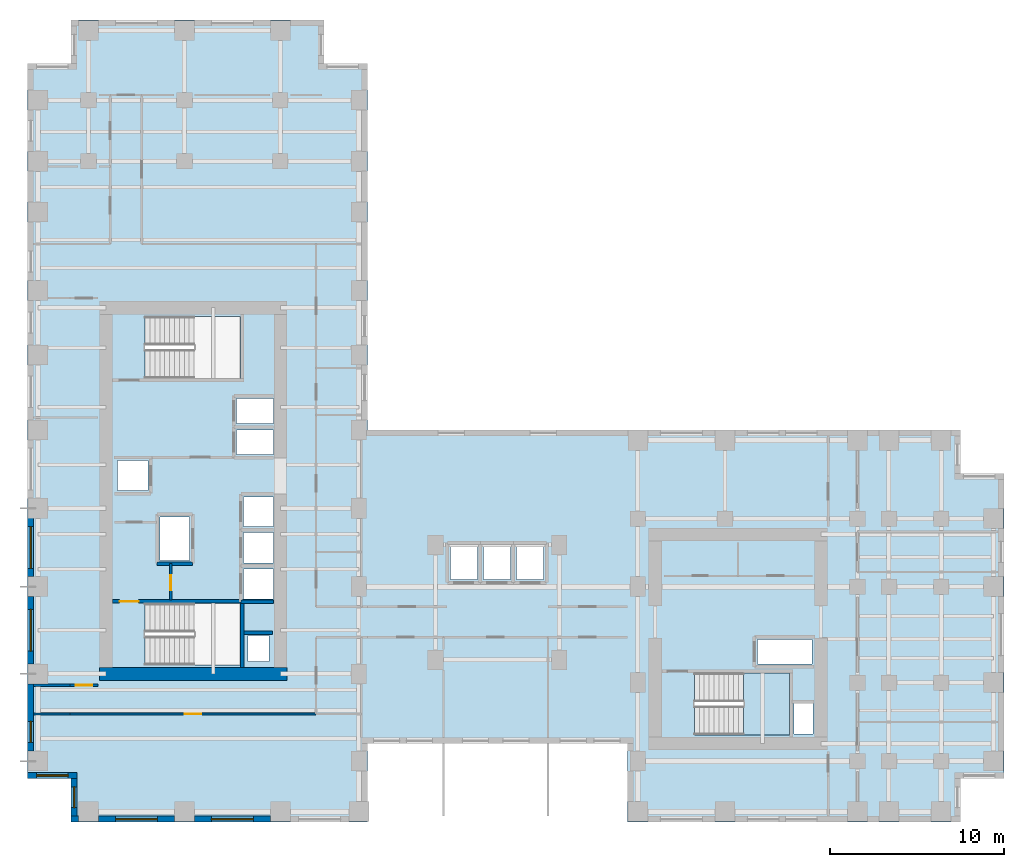
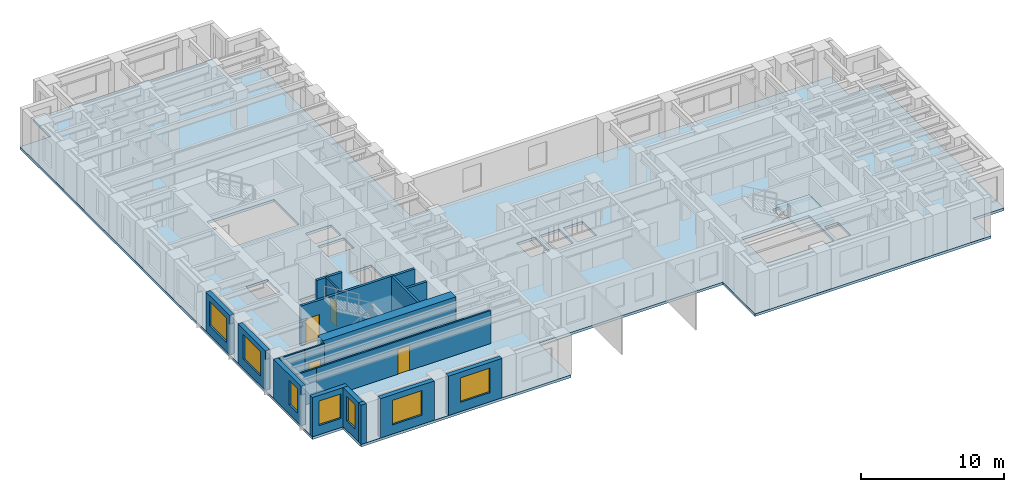
# One storey, part 3 of 11: 19 walls, 7 windows, 4 doors, 2 slabs, 11 openings, 1 element without a shape of its own.
"""IFC4 building model written with IfcOpenShell, lengths in metres."""

from ifc_helpers import new_model, si_unit, direction, frame, frame_2d, origin, place, context, subcontext, project, spatial, polyline, rectangle, outline, extrude, source, transform, mapped, material, layer, layer_set, type_object, element, fill, aggregate, save


model = new_model("IFC4")

# Units and contexts
model_context = context("Model", 3, precision=1e-05, world=origin(), true_north=direction((0.0, 1.0)))
body_context = subcontext(model_context, "Body", "Model", "MODEL_VIEW")
ifc_project = project(units=[si_unit("LENGTHUNIT", "METRE"), si_unit("AREAUNIT", "SQUARE_METRE"), si_unit("VOLUMEUNIT", "CUBIC_METRE"), si_unit("PLANEANGLEUNIT", "RADIAN"), si_unit("MASSUNIT", "GRAM", prefix="KILO")], contexts=[model_context])

# Site, building, storey
site_placement = place(None, origin())
site = spatial("IfcSite", under=ifc_project, at=site_placement, CompositionType="ELEMENT")
building_placement = place(site_placement, origin())
building = spatial("IfcBuilding", under=site, at=building_placement, Name="Kharzan Plaza Tower", CompositionType="ELEMENT")
storey_placement = place(building_placement, frame((0.0, 0.0, 84.60009765625)))
storey = spatial("IfcBuildingStorey", under=building, at=storey_placement, Name="L22", CompositionType="ELEMENT", Elevation=84.60009765625)

# Slab
ifc_material_1 = material(Name="Concrete C40/50", Category="concrete")
ifc_layer_1 = layer(ifc_material_1, 0.219970703125)
ifc_layer_set_1 = layer_set([ifc_layer_1], Name="Concrete C40/50")
slab_type_1 = type_object("IfcSlabType", Name="SL-FLOOR-220", PredefinedType="FLOOR", material=ifc_layer_set_1)
slab_1_placement = place(storey_placement, frame((0.0, 0.0, -0.22021484375)))
element("IfcSlab", 1, at=slab_1_placement, inside=storey, type_object=slab_type_1, Name="L22 Composite Structural Floor Slab 220 mm", PredefinedType="FLOOR", context=body_context, shape_type="SweptSolid", body=[
    extrude(outline(polyline([(34.39990234375, 22.5), (19.5, 22.5), (19.5, 43.5), (17.0, 43.5), (17.0, 46.0), (2.5, 46.0), (2.5, 43.5), (0.0, 43.5), (0.0, 2.5), (2.5, 2.5), (2.5, 0.0), (19.5, 0.0), (19.5, 4.5), (34.39990234375, 4.5), (34.39990234375, 0.0), (53.5, 0.0), (53.5, 2.5), (56.0, 2.5), (56.0, 20.0), (53.5, 20.0), (53.5, 22.5), (34.39990234375, 22.5)]), holes=[polyline([(12.199951171875, 9.0), (12.199951171875, 12.550048828125), (6.75, 12.550048828125), (6.75, 9.0), (12.199951171875, 9.0)]), polyline([(14.10009765625, 12.800048828125), (14.10009765625, 14.530029296875), (12.39990234375, 14.530029296875), (12.39990234375, 12.800048828125), (14.10009765625, 12.800048828125)]), polyline([(14.10009765625, 14.8701171875), (14.10009765625, 16.60009765625), (12.39990234375, 16.60009765625), (12.39990234375, 14.8701171875), (14.10009765625, 14.8701171875)]), polyline([(9.300048828125, 15.0), (9.300048828125, 17.5), (7.60009765625, 17.5), (7.60009765625, 15.0), (9.300048828125, 15.0)]), polyline([(6.89990234375, 19.010009765625), (6.89990234375, 20.72998046875), (5.14990234375, 20.72998046875), (5.14990234375, 19.010009765625), (6.89990234375, 19.010009765625)]), polyline([(14.10009765625, 21.070068359375), (14.10009765625, 22.489990234375), (12.0, 22.489990234375), (12.0, 21.070068359375), (14.10009765625, 21.070068359375)]), polyline([(14.10009765625, 22.8701171875), (14.10009765625, 24.2900390625), (12.0, 24.2900390625), (12.0, 22.8701171875), (14.10009765625, 22.8701171875)]), polyline([(12.199951171875, 25.449951171875), (12.199951171875, 29.0), (6.75, 29.0), (6.75, 25.449951171875), (12.199951171875, 25.449951171875)]), polyline([(45.050048828125, 5.050048828125), (45.050048828125, 6.800048828125), (43.949951171875, 6.800048828125), (43.949951171875, 5.050048828125), (45.050048828125, 5.050048828125)]), polyline([(43.699951171875, 5.0), (43.699951171875, 8.550048828125), (38.25, 8.550048828125), (38.25, 5.0), (43.699951171875, 5.0)]), polyline([(45.0, 9.070068359375), (45.0, 10.469970703125), (41.85009765625, 10.469970703125), (41.85009765625, 9.070068359375), (45.0, 9.070068359375)]), polyline([(13.85009765625, 9.199951171875), (13.85009765625, 10.699951171875), (12.64990234375, 10.699951171875), (12.64990234375, 9.199951171875), (13.85009765625, 9.199951171875)]), polyline([(25.800048828125, 13.89990234375), (25.800048828125, 15.85009765625), (24.25, 15.85009765625), (24.25, 13.89990234375), (25.800048828125, 13.89990234375)]), polyline([(27.699951171875, 13.89990234375), (27.699951171875, 15.85009765625), (26.14990234375, 15.85009765625), (26.14990234375, 13.89990234375), (27.699951171875, 13.89990234375)]), polyline([(29.60009765625, 13.89990234375), (29.60009765625, 15.85009765625), (28.050048828125, 15.85009765625), (28.050048828125, 13.89990234375), (29.60009765625, 13.89990234375)]), polyline([(14.10009765625, 16.93994140625), (14.10009765625, 18.64990234375), (12.39990234375, 18.64990234375), (12.39990234375, 16.93994140625), (14.10009765625, 16.93994140625)])]), origin(), (0.0, 0.0, 1.0), 0.22021484375),
])

# Stair, slab
stair_type = type_object("IfcStairType", Name="STR-ST-3", PredefinedType="HALF_TURN_STAIR", material=ifc_material_1)
stair_placement = place(storey_placement, origin())
stair = element("IfcStair", 2, at=stair_placement, inside=storey, type_object=stair_type, Name="L22 Protected Exit Stair ST-3", PredefinedType="HALF_TURN_STAIR")
ifc_layer_2 = layer(ifc_material_1, 0.219970703125)
ifc_layer_set_2 = layer_set([ifc_layer_2], Name="Concrete C40/50")
slab_type_2 = type_object("IfcSlabType", Name="SL-LANDING-220", PredefinedType="LANDING", material=ifc_layer_set_2)
slab_2_placement = place(storey_placement, frame((0.0, 0.0, 1.599853515625)))
slab_2 = element("IfcSlab", 3, at=slab_2_placement, type_object=slab_type_2, Name="ST-3 landing 1", PredefinedType="LANDING", context=body_context, shape_type="SweptSolid", body=[
    extrude(outline(polyline([(41.050048828125, 5.0), (43.699951171875, 5.0), (43.699951171875, 8.550048828125), (41.050048828125, 8.550048828125), (41.050048828125, 5.0)])), origin(), (0.0, 0.0, 1.0), 0.199951171875),
])
aggregate(stair, [slab_2])

# Wall, opening, window
ifc_layer_3 = layer(ifc_material_1, 0.35009765625)
ifc_layer_set_3 = layer_set([ifc_layer_3], Name="Concrete C40/50")
wall_type_1 = type_object("IfcWallType", Name="WL-EXT-MAS-Z2", PredefinedType="SOLIDWALL", material=ifc_layer_set_3)
wall_1_placement = place(storey_placement, frame((0.175048828125, 17.427001953125, 0.0), z_axis=(0.0, 0.0, 1.0), x_axis=(0.0, -1.0, 0.0)))
wall_1 = element("IfcWall", 4, at=wall_1_placement, inside=storey, type_object=wall_type_1, Name="L22 Masonry-Frame Exterior Wall 16", PredefinedType="SOLIDWALL", context=body_context, shape_type="SweptSolid", body=[
    extrude(rectangle(XDim=3.35400390625, YDim=0.35009765625, at=frame_2d((1.677001953125, 0.0))), origin(), (0.0, 0.0, 1.0), 3.364990234375),
])
opening_1_placement = place(wall_1_placement, frame((0.47705078125, 0.0, 0.780029296875)))
opening_1 = element("IfcOpeningElement", 5, at=opening_1_placement, cuts=wall_1, Name="Opening W2", PredefinedType="OPENING", context=body_context, shape_type="SweptSolid", body=[
    extrude(rectangle(XDim=2.39990234375, YDim=2.10009765625, at=frame_2d((1.199951171875, 1.050048828125))), frame((0.0, 0.18505859375, 0.0), z_axis=(0.0, -1.0, 0.0), x_axis=(1.0, 0.0, 0.0)), (0.0, 0.0, 1.0), 0.3701171875),
])
ifc_material_2 = material(Name="Low-E Double Glazing", Category="glass")
window_type_1 = type_object("IfcWindowType", Name="WN-REC-2400x2100", PartitioningType="SINGLE_PANEL", PredefinedType="WINDOW", material=ifc_material_2)
shared_shape_1 = source(origin(), body_context, "Body", "SweptSolid", [
    extrude(rectangle(XDim=2.39990234375, YDim=2.10009765625, at=frame_2d((1.199951171875, 1.050048828125))), frame((0.0, 0.030029296875, 0.0), z_axis=(0.0, -1.0, 0.0), x_axis=(1.0, 0.0, 0.0)), (0.0, 0.0, 1.0), 0.06005859375),
])
window_1_placement = place(opening_1_placement, origin())
window_1 = element("IfcWindow", 6, at=window_1_placement, inside=storey, type_object=window_type_1, Name="L22 Wide Recessed Solar-Control Window 16-1", OverallHeight=2.10009765625, OverallWidth=2.39990234375, PartitioningType="SINGLE_PANEL", PredefinedType="WINDOW", context=body_context, shape_type="MappedRepresentation", body=[
    mapped(shared_shape_1, transform((0.0, 0.0, 0.0), x_axis=(1.0, 0.0, 0.0), y_axis=(0.0, 1.0, 0.0), z_axis=(0.0, 0.0, 1.0))),
])
fill(opening_1, window_1)

wall_2_placement = place(storey_placement, frame((0.175048828125, 12.927001953125, 0.0), z_axis=(0.0, 0.0, 1.0), x_axis=(0.0, -1.0, 0.0)))
wall_2 = element("IfcWall", 7, at=wall_2_placement, inside=storey, type_object=wall_type_1, Name="L22 Masonry-Frame Exterior Wall 17", PredefinedType="SOLIDWALL", context=body_context, shape_type="SweptSolid", body=[
    extrude(rectangle(XDim=3.85400390625, YDim=0.35009765625, at=frame_2d((1.927001953125, 0.0))), origin(), (0.0, 0.0, 1.0), 3.364990234375),
])
opening_2_placement = place(wall_2_placement, frame((0.72705078125, 0.0, 0.780029296875)))
opening_2 = element("IfcOpeningElement", 8, at=opening_2_placement, cuts=wall_2, Name="Opening W2", PredefinedType="OPENING", context=body_context, shape_type="SweptSolid", body=[
    extrude(rectangle(XDim=2.39990234375, YDim=2.10009765625, at=frame_2d((1.199951171875, 1.050048828125))), frame((0.0, 0.18505859375, 0.0), z_axis=(0.0, -1.0, 0.0), x_axis=(1.0, 0.0, 0.0)), (0.0, 0.0, 1.0), 0.3701171875),
])
window_2_placement = place(opening_2_placement, origin())
window_2 = element("IfcWindow", 9, at=window_2_placement, inside=storey, type_object=window_type_1, Name="L22 Wide Recessed Solar-Control Window 17-1", OverallHeight=2.10009765625, OverallWidth=2.39990234375, PartitioningType="SINGLE_PANEL", PredefinedType="WINDOW", context=body_context, shape_type="MappedRepresentation", body=[
    mapped(shared_shape_1, transform((0.0, 0.0, 0.0), x_axis=(1.0, 0.0, 0.0), y_axis=(0.0, 1.0, 0.0), z_axis=(0.0, 0.0, 1.0))),
])
fill(opening_2, window_2)

wall_3_placement = place(storey_placement, frame((0.175048828125, 7.927001953125, 0.0), z_axis=(0.0, 0.0, 1.0), x_axis=(0.0, -1.0, 0.0)))
wall_3 = element("IfcWall", 10, at=wall_3_placement, inside=storey, type_object=wall_type_1, Name="L22 Masonry-Frame Exterior Wall 18", PredefinedType="SOLIDWALL", context=body_context, shape_type="SweptSolid", body=[
    extrude(rectangle(XDim=3.85400390625, YDim=0.35009765625, at=frame_2d((1.927001953125, 0.0))), origin(), (0.0, 0.0, 1.0), 3.364990234375),
])
opening_3_placement = place(wall_3_placement, frame((2.155517578125, 0.0, 0.780029296875)))
opening_3 = element("IfcOpeningElement", 11, at=opening_3_placement, cuts=wall_3, Name="Opening W3", PredefinedType="OPENING", context=body_context, shape_type="SweptSolid", body=[
    extrude(rectangle(XDim=1.199951171875, YDim=2.10009765625, at=frame_2d((0.60009765625, 1.050048828125))), frame((0.0, 0.18505859375, 0.0), z_axis=(0.0, -1.0, 0.0), x_axis=(1.0, 0.0, 0.0)), (0.0, 0.0, 1.0), 0.3701171875),
])
window_type_2 = type_object("IfcWindowType", Name="WN-REC-1200x2100", PartitioningType="SINGLE_PANEL", PredefinedType="WINDOW", material=ifc_material_2)
shared_shape_2 = source(origin(), body_context, "Body", "SweptSolid", [
    extrude(rectangle(XDim=1.199951171875, YDim=2.10009765625, at=frame_2d((0.60009765625, 1.050048828125))), frame((0.0, 0.030029296875, 0.0), z_axis=(0.0, -1.0, 0.0), x_axis=(1.0, 0.0, 0.0)), (0.0, 0.0, 1.0), 0.06005859375),
])
window_3_placement = place(opening_3_placement, origin())
window_3 = element("IfcWindow", 12, at=window_3_placement, inside=storey, type_object=window_type_2, Name="L22 Recessed Solar-Control Window 18-1", OverallHeight=2.10009765625, OverallWidth=1.199951171875, PartitioningType="SINGLE_PANEL", PredefinedType="WINDOW", context=body_context, shape_type="MappedRepresentation", body=[
    mapped(shared_shape_2, transform((0.0, 0.0, 0.0), x_axis=(1.0, 0.0, 0.0), y_axis=(0.0, 1.0, 0.0), z_axis=(0.0, 0.0, 1.0))),
])
fill(opening_3, window_3)

wall_4_placement = place(storey_placement, frame((0.0, 2.675048828125, 0.0), z_axis=(0.0, 0.0, 1.0), x_axis=(1.0, 0.0, 0.0)))
wall_4 = element("IfcWall", 13, at=wall_4_placement, inside=storey, type_object=wall_type_1, Name="L22 Masonry-Frame Exterior Wall 19", PredefinedType="SOLIDWALL", context=body_context, shape_type="SweptSolid", body=[
    extrude(rectangle(XDim=2.85009765625, YDim=0.35009765625, at=frame_2d((1.425048828125, 0.0))), origin(), (0.0, 0.0, 1.0), 3.364990234375),
])
opening_4_placement = place(wall_4_placement, frame((0.52490234375, 0.0, 0.780029296875)))
opening_4 = element("IfcOpeningElement", 14, at=opening_4_placement, cuts=wall_4, Name="Opening W1", PredefinedType="OPENING", context=body_context, shape_type="SweptSolid", body=[
    extrude(rectangle(XDim=1.800048828125, YDim=2.10009765625, at=frame_2d((0.89990234375, 1.050048828125))), frame((0.0, 0.18505859375, 0.0), z_axis=(0.0, -1.0, 0.0), x_axis=(1.0, 0.0, 0.0)), (0.0, 0.0, 1.0), 0.3701171875),
])
window_type_3 = type_object("IfcWindowType", Name="WN-REC-1800x2100", PartitioningType="SINGLE_PANEL", PredefinedType="WINDOW", material=ifc_material_2)
shared_shape_3 = source(origin(), body_context, "Body", "SweptSolid", [
    extrude(rectangle(XDim=1.800048828125, YDim=2.10009765625, at=frame_2d((0.89990234375, 1.050048828125))), frame((0.0, 0.030029296875, 0.0), z_axis=(0.0, -1.0, 0.0), x_axis=(1.0, 0.0, 0.0)), (0.0, 0.0, 1.0), 0.06005859375),
])
window_4_placement = place(opening_4_placement, origin())
window_4 = element("IfcWindow", 15, at=window_4_placement, inside=storey, type_object=window_type_3, Name="L22 Recessed Solar-Control Window 19-1", OverallHeight=2.10009765625, OverallWidth=1.800048828125, PartitioningType="SINGLE_PANEL", PredefinedType="WINDOW", context=body_context, shape_type="MappedRepresentation", body=[
    mapped(shared_shape_3, transform((0.0, 0.0, 0.0), x_axis=(1.0, 0.0, 0.0), y_axis=(0.0, 1.0, 0.0), z_axis=(0.0, 0.0, 1.0))),
])
fill(opening_4, window_4)

wall_5_placement = place(storey_placement, frame((2.675048828125, 2.501953125, 0.0), z_axis=(0.0, 0.0, 1.0), x_axis=(0.0, -1.0, 0.0)))
wall_5 = element("IfcWall", 16, at=wall_5_placement, inside=storey, type_object=wall_type_1, Name="L22 Masonry-Frame Exterior Wall 20", PredefinedType="SOLIDWALL", context=body_context, shape_type="SweptSolid", body=[
    extrude(rectangle(XDim=2.154052734375, YDim=0.35009765625, at=frame_2d((1.0771484375, 0.0))), origin(), (0.0, 0.0, 1.0), 3.364990234375),
])
opening_5_placement = place(wall_5_placement, frame((0.47705078125, 0.0, 0.780029296875)))
opening_5 = element("IfcOpeningElement", 17, at=opening_5_placement, cuts=wall_5, Name="Opening W3", PredefinedType="OPENING", context=body_context, shape_type="SweptSolid", body=[
    extrude(rectangle(XDim=1.199951171875, YDim=2.10009765625, at=frame_2d((0.60009765625, 1.050048828125))), frame((0.0, 0.18505859375, 0.0), z_axis=(0.0, -1.0, 0.0), x_axis=(1.0, 0.0, 0.0)), (0.0, 0.0, 1.0), 0.3701171875),
])
window_5_placement = place(opening_5_placement, origin())
window_5 = element("IfcWindow", 18, at=window_5_placement, inside=storey, type_object=window_type_2, Name="L22 Recessed Solar-Control Window 20-1", OverallHeight=2.10009765625, OverallWidth=1.199951171875, PartitioningType="SINGLE_PANEL", PredefinedType="WINDOW", context=body_context, shape_type="MappedRepresentation", body=[
    mapped(shared_shape_2, transform((0.0, 0.0, 0.0), x_axis=(1.0, 0.0, 0.0), y_axis=(0.0, 1.0, 0.0), z_axis=(0.0, 0.0, 1.0))),
])
fill(opening_5, window_5)

wall_6_placement = place(storey_placement, frame((4.072998046875, 0.175048828125, 0.0), z_axis=(0.0, 0.0, 1.0), x_axis=(1.0, 0.0, 0.0)))
wall_6 = element("IfcWall", 19, at=wall_6_placement, inside=storey, type_object=wall_type_1, Name="L22 Masonry-Frame Exterior Wall 22", PredefinedType="SOLIDWALL", context=body_context, shape_type="SweptSolid", body=[
    extrude(rectangle(XDim=4.35400390625, YDim=0.35009765625, at=frame_2d((2.177001953125, 0.0))), origin(), (0.0, 0.0, 1.0), 3.364990234375),
])
opening_6_placement = place(wall_6_placement, frame((0.97705078125, 0.0, 0.780029296875)))
opening_6 = element("IfcOpeningElement", 20, at=opening_6_placement, cuts=wall_6, Name="Opening W2", PredefinedType="OPENING", context=body_context, shape_type="SweptSolid", body=[
    extrude(rectangle(XDim=2.39990234375, YDim=2.10009765625, at=frame_2d((1.199951171875, 1.050048828125))), frame((0.0, 0.18505859375, 0.0), z_axis=(0.0, -1.0, 0.0), x_axis=(1.0, 0.0, 0.0)), (0.0, 0.0, 1.0), 0.3701171875),
])
window_6_placement = place(opening_6_placement, origin())
window_6 = element("IfcWindow", 21, at=window_6_placement, inside=storey, type_object=window_type_1, Name="L22 Wide Recessed Solar-Control Window 22-1", OverallHeight=2.10009765625, OverallWidth=2.39990234375, PartitioningType="SINGLE_PANEL", PredefinedType="WINDOW", context=body_context, shape_type="MappedRepresentation", body=[
    mapped(shared_shape_1, transform((0.0, 0.0, 0.0), x_axis=(1.0, 0.0, 0.0), y_axis=(0.0, 1.0, 0.0), z_axis=(0.0, 0.0, 1.0))),
])
fill(opening_6, window_6)

wall_7_placement = place(storey_placement, frame((9.572998046875, 0.175048828125, 0.0), z_axis=(0.0, 0.0, 1.0), x_axis=(1.0, 0.0, 0.0)))
wall_7 = element("IfcWall", 22, at=wall_7_placement, inside=storey, type_object=wall_type_1, Name="L22 Masonry-Frame Exterior Wall 23", PredefinedType="SOLIDWALL", context=body_context, shape_type="SweptSolid", body=[
    extrude(rectangle(XDim=4.35400390625, YDim=0.35009765625, at=frame_2d((2.177001953125, 0.0))), origin(), (0.0, 0.0, 1.0), 3.364990234375),
])
opening_7_placement = place(wall_7_placement, frame((0.97705078125, 0.0, 0.780029296875)))
opening_7 = element("IfcOpeningElement", 23, at=opening_7_placement, cuts=wall_7, Name="Opening W2", PredefinedType="OPENING", context=body_context, shape_type="SweptSolid", body=[
    extrude(rectangle(XDim=2.39990234375, YDim=2.10009765625, at=frame_2d((1.199951171875, 1.050048828125))), frame((0.0, 0.18505859375, 0.0), z_axis=(0.0, -1.0, 0.0), x_axis=(1.0, 0.0, 0.0)), (0.0, 0.0, 1.0), 0.3701171875),
])
window_7_placement = place(opening_7_placement, origin())
window_7 = element("IfcWindow", 24, at=window_7_placement, inside=storey, type_object=window_type_1, Name="L22 Wide Recessed Solar-Control Window 23-1", OverallHeight=2.10009765625, OverallWidth=2.39990234375, PartitioningType="SINGLE_PANEL", PredefinedType="WINDOW", context=body_context, shape_type="MappedRepresentation", body=[
    mapped(shared_shape_1, transform((0.0, 0.0, 0.0), x_axis=(1.0, 0.0, 0.0), y_axis=(0.0, 1.0, 0.0), z_axis=(0.0, 0.0, 1.0))),
])
fill(opening_7, window_7)

# Wall, opening, door
ifc_material_3 = material(Name="Fire-Rated Gypsum Board Partition", Category="gypsum")
ifc_layer_4 = layer(ifc_material_3, 0.125)
ifc_layer_set_4 = layer_set([ifc_layer_4], Name="Fire-Rated Gypsum Board Partition")
wall_type_2 = type_object("IfcWallType", Name="WL-INT-PART-125", PredefinedType="PARTITIONING", material=ifc_layer_set_4)
wall_8_placement = place(storey_placement, frame((8.219970703125, 12.75, 0.0), z_axis=(0.0, 0.0, 1.0), x_axis=(0.0, 1.0, 0.0)))
wall_8 = element("IfcWall", 25, at=wall_8_placement, inside=storey, type_object=wall_type_2, Name="L22 Interior Partition CA-K1E", PredefinedType="PARTITIONING", context=body_context, shape_type="SweptSolid", body=[
    extrude(rectangle(XDim=2.070068359375, YDim=0.125, at=frame_2d((1.03515625, 0.0))), origin(), (0.0, 0.0, 1.0), 3.364990234375),
])
opening_8_placement = place(wall_8_placement, frame((0.56005859375, 0.0, 0.0)))
opening_8 = element("IfcOpeningElement", 26, at=opening_8_placement, cuts=wall_8, Name="Opening RD1", PredefinedType="OPENING", context=body_context, shape_type="SweptSolid", body=[
    extrude(rectangle(XDim=0.85009765625, YDim=2.10009765625, at=frame_2d((0.425048828125, 1.050048828125))), frame((0.0, 0.072509765625, 0.0), z_axis=(0.0, -1.0, 0.0), x_axis=(1.0, 0.0, 0.0)), (0.0, 0.0, 1.0), 0.14501953125),
])
ifc_material_4 = material(Name="Powder-Coated Fire-Rated Steel", Category="steel")
door_type_1 = type_object("IfcDoorType", Name="DR-RISER-900", OperationType="NOTDEFINED", PredefinedType="DOOR", material=ifc_material_4)
shared_shape_4 = source(origin(), body_context, "Body", "SweptSolid", [
    extrude(rectangle(XDim=0.85009765625, YDim=2.10009765625, at=frame_2d((0.425048828125, 1.050048828125))), frame((0.0, 0.02490234375, 0.0), z_axis=(0.0, -1.0, 0.0), x_axis=(1.0, 0.0, 0.0)), (0.0, 0.0, 1.0), 0.050048828125),
])
door_1_placement = place(opening_8_placement, origin())
door_1 = element("IfcDoor", 27, at=door_1_placement, inside=storey, type_object=door_type_1, Name="L22 Core Service Store Door", OperationType="SINGLE_SWING_RIGHT", OverallHeight=2.10009765625, OverallWidth=0.85009765625, PredefinedType="DOOR", context=body_context, shape_type="MappedRepresentation", body=[
    mapped(shared_shape_4, transform((0.0, 0.0, 0.0), x_axis=(1.0, 0.0, 0.0), y_axis=(0.0, 1.0, 0.0), z_axis=(0.0, 0.0, 1.0))),
])
fill(opening_8, door_1)

wall_9_placement = place(storey_placement, frame((2.449951171875, 7.85009765625, 0.0), z_axis=(0.0, 0.0, 1.0), x_axis=(1.0, 0.0, 0.0)))
wall_9 = element("IfcWall", 28, at=wall_9_placement, inside=storey, type_object=wall_type_2, Name="L22 Interior Partition SH-RWSD", PredefinedType="PARTITIONING", context=body_context, shape_type="SweptSolid", body=[
    extrude(rectangle(XDim=1.60009765625, YDim=0.125, at=frame_2d((0.800048828125, 0.0))), origin(), (0.0, 0.0, 1.0), 3.364990234375),
])
opening_9_placement = place(wall_9_placement, frame((0.324951171875, 0.0, 0.0)))
opening_9 = element("IfcOpeningElement", 29, at=opening_9_placement, cuts=wall_9, Name="Opening OD1", PredefinedType="OPENING", context=body_context, shape_type="SweptSolid", body=[
    extrude(rectangle(XDim=0.949951171875, YDim=2.14990234375, at=frame_2d((0.47509765625, 1.074951171875))), frame((0.0, 0.072509765625, 0.0), z_axis=(0.0, -1.0, 0.0), x_axis=(1.0, 0.0, 0.0)), (0.0, 0.0, 1.0), 0.14501953125),
])
ifc_material_5 = material(Name="Acoustic Solid-Core Stained Oak", Category="timber")
door_type_2 = type_object("IfcDoorType", Name="DR-OFF-SINGLE", OperationType="NOTDEFINED", PredefinedType="DOOR", material=ifc_material_5)
shared_shape_5 = source(origin(), body_context, "Body", "SweptSolid", [
    extrude(rectangle(XDim=0.949951171875, YDim=2.14990234375, at=frame_2d((0.47509765625, 1.074951171875))), frame((0.0, 0.02490234375, 0.0), z_axis=(0.0, -1.0, 0.0), x_axis=(1.0, 0.0, 0.0)), (0.0, 0.0, 1.0), 0.050048828125),
])
door_2_placement = place(opening_9_placement, origin())
door_2 = element("IfcDoor", 30, at=door_2_placement, inside=storey, type_object=door_type_2, Name="L22 West Office 1 Door", OperationType="SINGLE_SWING_RIGHT", OverallHeight=2.14990234375, OverallWidth=0.949951171875, PredefinedType="DOOR", context=body_context, shape_type="MappedRepresentation", body=[
    mapped(shared_shape_5, transform((0.0, 0.0, 0.0), x_axis=(1.0, 0.0, 0.0), y_axis=(0.0, 1.0, 0.0), z_axis=(0.0, 0.0, 1.0))),
])
fill(opening_9, door_2)

wall_10_placement = place(storey_placement, frame((2.449951171875, 6.199951171875, 0.0), z_axis=(0.0, 0.0, 1.0), x_axis=(1.0, 0.0, 0.0)))
wall_10 = element("IfcWall", 31, at=wall_10_placement, inside=storey, type_object=wall_type_2, Name="L22 Interior Partition SH-SS-1", PredefinedType="PARTITIONING", context=body_context, shape_type="SweptSolid", body=[
    extrude(rectangle(XDim=14.10009765625, YDim=0.125, at=frame_2d((7.050048828125, 0.0))), origin(), (0.0, 0.0, 1.0), 2.827880859375),
])
opening_10_placement = place(wall_10_placement, frame((6.574951171875, 0.0, 0.0)))
opening_10 = element("IfcOpeningElement", 32, at=opening_10_placement, cuts=wall_10, Name="Opening OD1", PredefinedType="OPENING", context=body_context, shape_type="SweptSolid", body=[
    extrude(rectangle(XDim=0.949951171875, YDim=2.14990234375, at=frame_2d((0.47509765625, 1.074951171875))), frame((0.0, 0.072509765625, 0.0), z_axis=(0.0, -1.0, 0.0), x_axis=(1.0, 0.0, 0.0)), (0.0, 0.0, 1.0), 0.14501953125),
])
door_3_placement = place(opening_10_placement, origin())
door_3 = element("IfcDoor", 33, at=door_3_placement, inside=storey, type_object=door_type_2, Name="L22 Staff Tea Pantry Door", OperationType="SINGLE_SWING_RIGHT", OverallHeight=2.14990234375, OverallWidth=0.949951171875, PredefinedType="DOOR", context=body_context, shape_type="MappedRepresentation", body=[
    mapped(shared_shape_5, transform((0.0, 0.0, 0.0), x_axis=(1.0, 0.0, 0.0), y_axis=(0.0, 1.0, 0.0), z_axis=(0.0, 0.0, 1.0))),
])
fill(opening_10, door_3)

ifc_material_6 = material(Name="Concrete C50/60", Category="concrete")
ifc_layer_5 = layer(ifc_material_6, 0.199951171875)
ifc_layer_set_5 = layer_set([ifc_layer_5], Name="Concrete C50/60")
wall_type_3 = type_object("IfcWallType", Name="WL-SHAFT-RC200", PredefinedType="SHEAR", material=ifc_layer_set_5)
wall_11_placement = place(storey_placement, frame((4.876953125, 12.655029296875, 0.0), z_axis=(0.0, 0.0, 1.0), x_axis=(1.0, 0.0, 0.0)))
wall_11 = element("IfcWall", 34, at=wall_11_placement, inside=storey, type_object=wall_type_3, Name="L22 Stair ST-1 North RC Shaft Wall", PredefinedType="SHEAR", context=body_context, shape_type="SweptSolid", body=[
    extrude(rectangle(XDim=7.528076171875, YDim=0.199951171875, at=frame_2d((3.76416015625, 0.0))), origin(), (0.0, 0.0, 1.0), 3.3798828125),
])
opening_11_placement = place(wall_11_placement, frame((0.39990234375, 0.0, 0.0)))
opening_11 = element("IfcOpeningElement", 35, at=opening_11_placement, cuts=wall_11, Name="Opening SD1", PredefinedType="OPENING", context=body_context, shape_type="SweptSolid", body=[
    extrude(rectangle(XDim=1.10009765625, YDim=2.14990234375, at=frame_2d((0.550048828125, 1.074951171875))), frame((0.0, 0.10986328125, 0.0), z_axis=(0.0, -1.0, 0.0), x_axis=(1.0, 0.0, 0.0)), (0.0, 0.0, 1.0), 0.219970703125),
])
ifc_material_7 = material(Name="Fire-Rated Hollow Galvanized Steel", Category="steel")
door_type_3 = type_object("IfcDoorType", Name="DR-STAIR-FD120", OperationType="NOTDEFINED", PredefinedType="DOOR", material=ifc_material_7)
shared_shape_6 = source(origin(), body_context, "Body", "SweptSolid", [
    extrude(rectangle(XDim=1.10009765625, YDim=2.14990234375, at=frame_2d((0.550048828125, 1.074951171875))), frame((0.0, 0.02490234375, 0.0), z_axis=(0.0, -1.0, 0.0), x_axis=(1.0, 0.0, 0.0)), (0.0, 0.0, 1.0), 0.050048828125),
])
door_4_placement = place(opening_11_placement, origin())
door_4 = element("IfcDoor", 36, at=door_4_placement, inside=storey, type_object=door_type_3, Name="L22 Stair ST-1 Fire Exit Door", OperationType="SINGLE_SWING_RIGHT", OverallHeight=2.14990234375, OverallWidth=1.10009765625, PredefinedType="DOOR", context=body_context, shape_type="MappedRepresentation", body=[
    mapped(shared_shape_6, transform((0.0, 0.0, 0.0), x_axis=(1.0, 0.0, 0.0), y_axis=(0.0, 1.0, 0.0), z_axis=(0.0, 0.0, 1.0))),
])
fill(opening_11, door_4)

# Walls
shared_shape_7 = source(origin(), body_context, "Body", "SweptSolid", [
    extrude(rectangle(XDim=2.097900390625, YDim=0.125, at=frame_2d((1.048828125, 0.0))), origin(), (0.0, 0.0, 1.0), 2.827880859375),
])
wall_12_placement = place(storey_placement, frame((0.35205078125, 6.199951171875, 0.0), z_axis=(0.0, 0.0, 1.0), x_axis=(1.0, 0.0, 0.0)))
element("IfcWall", 37, at=wall_12_placement, inside=storey, type_object=wall_type_2, Name="L22 Interior Partition SH-SS-EXT", PredefinedType="PARTITIONING", context=body_context, shape_type="MappedRepresentation", body=[
    mapped(shared_shape_7, transform((0.0, 0.0, 0.0), x_axis=(1.0, 0.0, 0.0), y_axis=(0.0, 1.0, 0.0), z_axis=(0.0, 0.0, 1.0))),
])
ifc_layer_6 = layer(ifc_material_1, 0.199951171875)
ifc_layer_set_6 = layer_set([ifc_layer_6], Name="Concrete C40/50")
wall_type_4 = type_object("IfcWallType", Name="WL-INT-SHAFT-200", PredefinedType="PARTITIONING", material=ifc_layer_set_6)
shared_shape_8 = source(origin(), body_context, "Body", "SweptSolid", [
    extrude(rectangle(XDim=2.0400390625, YDim=0.199951171875, at=frame_2d((1.02001953125, 0.0))), origin(), (0.0, 0.0, 1.0), 3.364990234375),
])
wall_13_placement = place(storey_placement, frame((7.429931640625, 14.830078125, 0.0), z_axis=(0.0, 0.0, 1.0), x_axis=(1.0, 0.0, 0.0)))
element("IfcWall", 38, at=wall_13_placement, inside=storey, type_object=wall_type_4, Name="L22 Interior Partition SHF-SVL-1-S", PredefinedType="PARTITIONING", context=body_context, shape_type="MappedRepresentation", body=[
    mapped(shared_shape_8, transform((0.0, 0.0, 0.0), x_axis=(1.0, 0.0, 0.0), y_axis=(0.0, 1.0, 0.0), z_axis=(0.0, 0.0, 1.0))),
])
shared_shape_9 = source(origin(), body_context, "Body", "SweptSolid", [
    extrude(rectangle(XDim=2.097900390625, YDim=0.125, at=frame_2d((1.048828125, 0.0))), origin(), (0.0, 0.0, 1.0), 3.364990234375),
])
wall_14_placement = place(storey_placement, frame((0.35205078125, 7.85009765625, 0.0), z_axis=(0.0, 0.0, 1.0), x_axis=(1.0, 0.0, 0.0)))
element("IfcWall", 39, at=wall_14_placement, inside=storey, type_object=wall_type_2, Name="L22 Interior Partition SH-RWS0", PredefinedType="PARTITIONING", context=body_context, shape_type="MappedRepresentation", body=[
    mapped(shared_shape_9, transform((0.0, 0.0, 0.0), x_axis=(1.0, 0.0, 0.0), y_axis=(0.0, 1.0, 0.0), z_axis=(0.0, 0.0, 1.0))),
])
shared_shape_10 = source(origin(), body_context, "Body", "SweptSolid", [
    extrude(rectangle(XDim=0.427001953125, YDim=0.35009765625, at=frame_2d((0.21337890625, 0.0))), origin(), (0.0, 0.0, 1.0), 3.364990234375),
])
wall_15_placement = place(storey_placement, frame((2.5, 0.175048828125, 0.0), z_axis=(0.0, 0.0, 1.0), x_axis=(1.0, 0.0, 0.0)))
element("IfcWall", 40, at=wall_15_placement, inside=storey, type_object=wall_type_1, Name="L22 Masonry-Frame Exterior Wall 21", PredefinedType="SOLIDWALL", context=body_context, shape_type="MappedRepresentation", body=[
    mapped(shared_shape_10, transform((0.0, 0.0, 0.0), x_axis=(1.0, 0.0, 0.0), y_axis=(0.0, 1.0, 0.0), z_axis=(0.0, 0.0, 1.0))),
])
shared_shape_11 = source(origin(), body_context, "Body", "SweptSolid", [
    extrude(rectangle(XDim=1.630126953125, YDim=0.199951171875, at=frame_2d((0.81494140625, 0.0))), origin(), (0.0, 0.0, 1.0), 3.364990234375),
])
wall_16_placement = place(storey_placement, frame((12.419921875, 10.85009765625, 0.0), z_axis=(0.0, 0.0, 1.0), x_axis=(1.0, 0.0, 0.0)))
element("IfcWall", 41, at=wall_16_placement, inside=storey, type_object=wall_type_4, Name="L22 Interior Partition CA-RSRA-N", PredefinedType="PARTITIONING", context=body_context, shape_type="MappedRepresentation", body=[
    mapped(shared_shape_11, transform((0.0, 0.0, 0.0), x_axis=(1.0, 0.0, 0.0), y_axis=(0.0, 1.0, 0.0), z_axis=(0.0, 0.0, 1.0))),
])
shared_shape_12 = source(origin(), body_context, "Body", "SweptSolid", [
    extrude(rectangle(XDim=1.864990234375, YDim=0.199951171875, at=frame_2d((0.9326171875, 0.0))), origin(), (0.0, 0.0, 1.0), 3.364990234375),
])
wall_17_placement = place(storey_placement, frame((12.22998046875, 12.6298828125, 0.0), z_axis=(0.0, 0.0, 1.0), x_axis=(1.0, 0.0, 0.0)))
element("IfcWall", 42, at=wall_17_placement, inside=storey, type_object=wall_type_4, Name="L22 Interior Partition SHF-PL-H1-S", PredefinedType="PARTITIONING", context=body_context, shape_type="MappedRepresentation", body=[
    mapped(shared_shape_12, transform((0.0, 0.0, 0.0), x_axis=(1.0, 0.0, 0.0), y_axis=(0.0, 1.0, 0.0), z_axis=(0.0, 0.0, 1.0))),
])
ifc_material_8 = material(Name="Concrete C60/75", Category="concrete")
ifc_layer_7 = layer(ifc_material_8, 0.75)
ifc_layer_set_7 = layer_set([ifc_layer_7], Name="Concrete C60/75")
wall_type_5 = type_object("IfcWallType", Name="WL-CORE-750", PredefinedType="SHEAR", material=ifc_layer_set_7)
shared_shape_13 = source(origin(), body_context, "Body", "SweptSolid", [
    extrude(rectangle(XDim=10.75, YDim=0.75, at=frame_2d((5.375, 0.0))), origin(), (0.0, 0.0, 1.0), 3.3798828125),
])
wall_18_placement = place(storey_placement, frame((4.125, 8.5, 0.0), z_axis=(0.0, 0.0, 1.0), x_axis=(1.0, 0.0, 0.0)))
element("IfcWall", 43, at=wall_18_placement, inside=storey, type_object=wall_type_5, Name="L22 CORE-A south RC shear wall", PredefinedType="SHEAR", context=body_context, shape_type="MappedRepresentation", body=[
    mapped(shared_shape_13, transform((0.0, 0.0, 0.0), x_axis=(1.0, 0.0, 0.0), y_axis=(0.0, 1.0, 0.0), z_axis=(0.0, 0.0, 1.0))),
])
shared_shape_14 = source(origin(), body_context, "Body", "SweptSolid", [
    extrude(rectangle(XDim=3.677978515625, YDim=0.199951171875, at=frame_2d((1.8388671875, 0.0))), origin(), (0.0, 0.0, 1.0), 3.3798828125),
])
wall_19_placement = place(storey_placement, frame((12.304931640625, 8.876953125, 0.0), z_axis=(0.0, 0.0, 1.0), x_axis=(0.0, 1.0, 0.0)))
element("IfcWall", 44, at=wall_19_placement, inside=storey, type_object=wall_type_3, Name="L22 Stair ST-1 East RC Shaft Wall", PredefinedType="SHEAR", context=body_context, shape_type="MappedRepresentation", body=[
    mapped(shared_shape_14, transform((0.0, 0.0, 0.0), x_axis=(1.0, 0.0, 0.0), y_axis=(0.0, 1.0, 0.0), z_axis=(0.0, 0.0, 1.0))),
])

save(model, "model.ifc")
